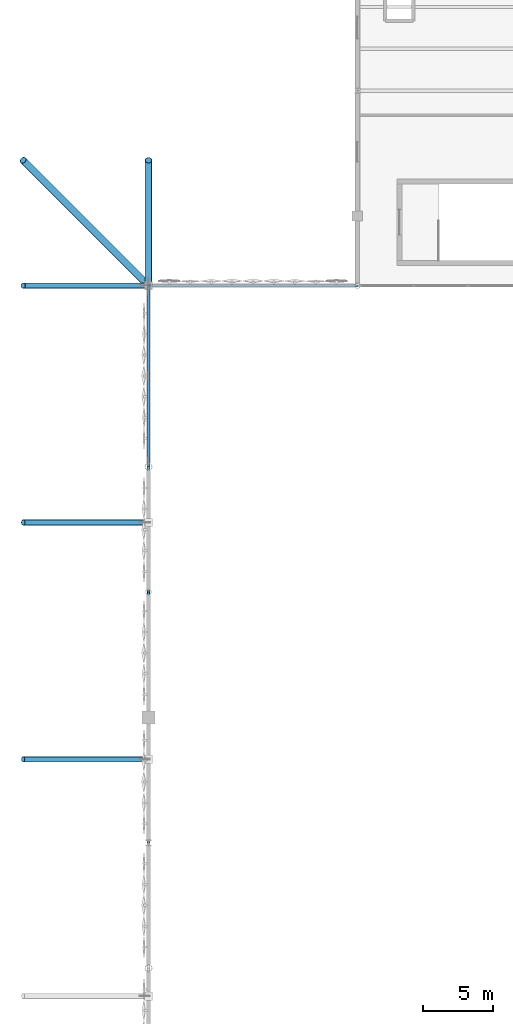
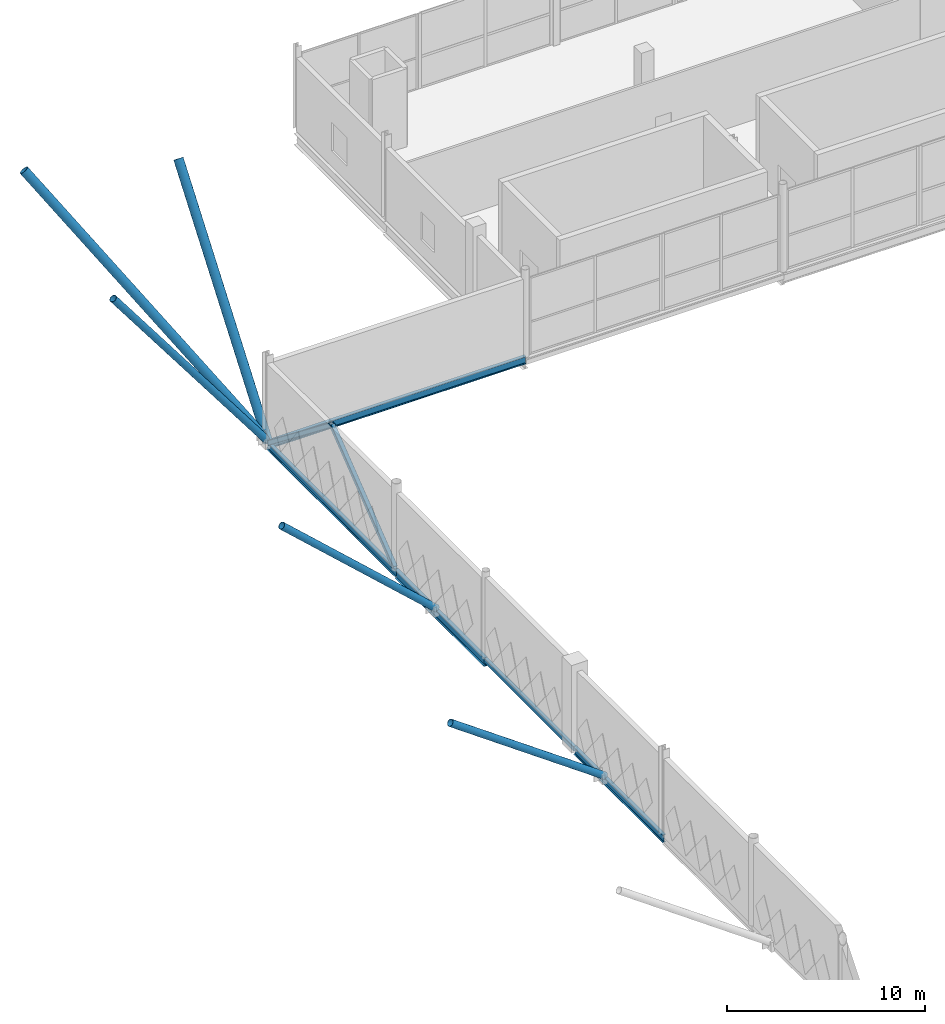
# One storey, part 31 of 119: 7 members, 5 beams.
"""IFC4 building model written with IfcOpenShell, lengths in metres."""

from ifc_helpers import new_model, si_unit, direction, frame, origin, origin_2d, place, context, subcontext, project, spatial, hollow_rectangle, hollow_circle, i_section, extrude, material, material_profile, profile_set, type_object, element, save


model = new_model("IFC4")

# Units and contexts
model_context = context("Model", 3, precision=1e-05, world=origin(), true_north=direction((0.0, 1.0)))
body_context = subcontext(model_context, "Body", "Model", "MODEL_VIEW")
ifc_project = project(units=[si_unit("LENGTHUNIT", "METRE"), si_unit("AREAUNIT", "SQUARE_METRE"), si_unit("VOLUMEUNIT", "CUBIC_METRE"), si_unit("PLANEANGLEUNIT", "RADIAN"), si_unit("MASSUNIT", "GRAM", prefix="KILO")], contexts=[model_context])

# Site, building, storey
site_placement = place(None, origin())
site = spatial("IfcSite", under=ifc_project, at=site_placement, CompositionType="ELEMENT")
building_placement = place(site_placement, origin())
building = spatial("IfcBuilding", under=site, at=building_placement, Name="Qamarlyn Nura Convention Centre", CompositionType="ELEMENT")
storey_placement = place(building_placement, frame((0.0, 0.0, 5.39990234375)))
storey = spatial("IfcBuildingStorey", under=building, at=storey_placement, Name="L01", CompositionType="ELEMENT", Elevation=5.39990234375)

# Beams
ifc_material_1 = material(Name="Steel ASTM A992", Category="steel")
ifc_material_profile_1 = material_profile(ifc_material_1, i_section(OverallWidth=0.193115234375, OverallDepth=0.466064453125, WebThickness=0.011474609375, FlangeThickness=0.01904296875, FilletRadius=0.012939453125, at=origin_2d()), Name="W460X97")
ifc_profile_set_1 = profile_set([ifc_material_profile_1], Name="Steel ASTM A992")
beam_type_1 = type_object("IfcBeamType", Name="BM-SPAN-460", PredefinedType="SPANDREL", material=ifc_profile_set_1)
beam_1_placement = place(storey_placement, frame((0.0, 103.0, -0.23291015625), z_axis=(1.0, 0.0, 0.0), x_axis=(0.0, 1.0, 0.0)))
element("IfcBeam", 1, at=beam_1_placement, inside=storey, type_object=beam_type_1, Name="L01 girder M 1-2", PredefinedType="SPANDREL", context=body_context, shape_type="SweptSolid", body=[
    extrude(i_section(OverallWidth=0.193115234375, OverallDepth=0.466064453125, WebThickness=0.011474609375, FlangeThickness=0.01904296875, FilletRadius=0.012939453125, at=origin_2d()), origin(), (0.0, 0.0, 1.0), 15.0),
])
beam_2_placement = place(storey_placement, frame((0.0, 63.0, -0.23291015625), z_axis=(0.0, 1.0, 0.0), x_axis=(-1.0, 0.0, 0.0)))
element("IfcBeam", 2, at=beam_2_placement, inside=storey, type_object=beam_type_1, Name="L01 girder 1 H-J", PredefinedType="SPANDREL", context=body_context, shape_type="SweptSolid", body=[
    extrude(i_section(OverallWidth=0.193115234375, OverallDepth=0.466064453125, WebThickness=0.011474609375, FlangeThickness=0.01904296875, FilletRadius=0.012939453125, at=origin_2d()), origin(), (0.0, 0.0, 1.0), 9.0),
])
beam_3_placement = place(storey_placement, frame((0.0, 90.0, -0.23291015625), z_axis=(0.0, 1.0, 0.0), x_axis=(-1.0, 0.0, 0.0)))
element("IfcBeam", 3, at=beam_3_placement, inside=storey, type_object=beam_type_1, Name="L01 girder 1 L-M", PredefinedType="SPANDREL", context=body_context, shape_type="SweptSolid", body=[
    extrude(i_section(OverallWidth=0.193115234375, OverallDepth=0.466064453125, WebThickness=0.011474609375, FlangeThickness=0.01904296875, FilletRadius=0.012939453125, at=origin_2d()), origin(), (0.0, 0.0, 1.0), 13.0),
])
ifc_material_profile_2 = material_profile(ifc_material_1, i_section(OverallWidth=0.2109375, OverallDepth=0.5390625, WebThickness=0.01171875, FlangeThickness=0.018798828125, FilletRadius=0.013916015625, at=origin_2d()), Name="W530X109")
ifc_profile_set_2 = profile_set([ifc_material_profile_2], Name="Steel ASTM A992")
beam_type_2 = type_object("IfcBeamType", Name="BM-SPAN-530", PredefinedType="SPANDREL", material=ifc_profile_set_2)
beam_4_placement = place(storey_placement, frame((0.0, 81.0, -0.269287109375), z_axis=(0.0, 1.0, 0.0), x_axis=(-1.0, 0.0, 0.0)))
element("IfcBeam", 4, at=beam_4_placement, inside=storey, type_object=beam_type_2, Name="L01 girder 1 K-L", PredefinedType="SPANDREL", context=body_context, shape_type="SweptSolid", body=[
    extrude(i_section(OverallWidth=0.2109375, OverallDepth=0.5390625, WebThickness=0.01171875, FlangeThickness=0.018798828125, FilletRadius=0.013916015625, at=origin_2d()), origin(), (0.0, 0.0, 1.0), 9.0),
])
ifc_material_2 = material(Name="Steel ASTM A500 Grade C", Category="steel")
ifc_material_profile_3 = material_profile(ifc_material_2, hollow_rectangle(XDim=0.199951171875, YDim=0.300048828125, WallThickness=0.012451171875, InnerFilletRadius=0.012451171875, OuterFilletRadius=0.02490234375, at=origin_2d()), Name="HSS300X200X12.5")
ifc_profile_set_3 = profile_set([ifc_material_profile_3], Name="Steel ASTM A500 Grade C")
beam_type_3 = type_object("IfcBeamType", Name="BM-SPAN-HSS", PredefinedType="SPANDREL", material=ifc_profile_set_3)
beam_5_placement = place(storey_placement, frame((0.0, 72.0, -0.14990234375), z_axis=(0.0, 1.0, 0.0), x_axis=(-1.0, 0.0, 0.0)))
element("IfcBeam", 5, at=beam_5_placement, inside=storey, type_object=beam_type_3, Name="L01 girder 1 J-K", PredefinedType="SPANDREL", context=body_context, shape_type="SweptSolid", body=[
    extrude(hollow_rectangle(XDim=0.199951171875, YDim=0.300048828125, WallThickness=0.012451171875, InnerFilletRadius=0.012451171875, OuterFilletRadius=0.02490234375, at=origin_2d()), origin(), (0.0, 0.0, 1.0), 9.0),
])

# Members
ifc_material_profile_4 = material_profile(ifc_material_2, hollow_rectangle(XDim=0.25, YDim=0.25, WallThickness=0.012451171875, InnerFilletRadius=0.012451171875, OuterFilletRadius=0.02490234375, at=origin_2d()), Name="HSS250X250X12.5")
ifc_profile_set_4 = profile_set([ifc_material_profile_4], Name="Steel ASTM A500 Grade C")
member_type_1 = type_object("IfcMemberType", Name="CBF-BRC-250", PredefinedType="BRACE", material=ifc_profile_set_4)
for number, where, z_axis, x_axis, name in (
    (6, (0.0, 90.179931640625, 0.0), (0.0, 0.788234369015, 0.615375153467), (-1.0, 0.0, 0.0), "L01 SCBF chevron brace CBF-W2L"),
    (7, (0.0, 102.820068359375, 0.0), (0.0, -0.788234369015, 0.615375153467), (1.0, 0.0, 0.0), "L01 SCBF chevron brace CBF-W2R"),
):
    element("IfcMember", number, at=place(storey_placement, frame(where, z_axis=z_axis, x_axis=x_axis)), inside=storey, type_object=member_type_1, Name=name, PredefinedType="BRACE", context=body_context, shape_type="SweptSolid", body=[
        extrude(hollow_rectangle(XDim=0.25, YDim=0.25, WallThickness=0.012451171875, InnerFilletRadius=0.012451171875, OuterFilletRadius=0.02490234375, at=origin_2d()), origin(), (0.0, 0.0, 1.0), 8.01806640625),
    ])
ifc_material_3 = material(Name="Pearl-white PVDF steel ASTM A500 Grade C", Category="steel")
ifc_material_profile_5 = material_profile(ifc_material_3, hollow_circle(Radius=0.203125, WallThickness=0.01611328125, at=origin_2d()), Name="CHS406.4X16")
ifc_profile_set_5 = profile_set([ifc_material_profile_5], Name="Pearl-white PVDF steel ASTM A500 Grade C")
member_type_2 = type_object("IfcMemberType", Name="STR-TREE-01", PredefinedType="BRACE", material=ifc_profile_set_5)
member_1_placement = place(storey_placement, frame((0.0, 69.0, 0.0), z_axis=(-0.814708921075, 0.0, 0.579870135394), x_axis=(0.0, -1.0, 0.0)))
element("IfcMember", 8, at=member_1_placement, inside=storey, type_object=member_type_2, Name="Raked tree strut RTS-W-5", PredefinedType="BRACE", context=body_context, shape_type="SweptSolid", body=[
    extrude(hollow_circle(Radius=0.203125, WallThickness=0.01611328125, at=origin_2d()), origin(), (0.0, 0.0, 1.0), 11.046875),
])
member_2_placement = place(storey_placement, frame((0.0, 86.0, 0.0), z_axis=(-0.737881551226, 0.0, 0.674930230735), x_axis=(0.0, -1.0, 0.0)))
element("IfcMember", 9, at=member_2_placement, inside=storey, type_object=member_type_2, Name="Raked tree strut RTS-W-6", PredefinedType="BRACE", context=body_context, shape_type="SweptSolid", body=[
    extrude(hollow_circle(Radius=0.203125, WallThickness=0.01611328125, at=origin_2d()), origin(), (0.0, 0.0, 1.0), 12.197021484375),
])
member_3_placement = place(storey_placement, frame((0.0, 103.0, 0.0), z_axis=(-0.60302653053, 0.0, 0.797721131397), x_axis=(0.0, -1.0, 0.0)))
element("IfcMember", 10, at=member_3_placement, inside=storey, type_object=member_type_2, Name="Raked tree strut RTS-W-7", PredefinedType="BRACE", context=body_context, shape_type="SweptSolid", body=[
    extrude(hollow_circle(Radius=0.203125, WallThickness=0.01611328125, at=origin_2d()), origin(), (0.0, 0.0, 1.0), 14.9248046875),
])
ifc_material_profile_6 = material_profile(ifc_material_3, hollow_circle(Radius=0.25390625, WallThickness=0.02001953125, at=origin_2d()), Name="CHS508X20")
ifc_profile_set_6 = profile_set([ifc_material_profile_6], Name="Pearl-white PVDF steel ASTM A500 Grade C")
member_type_3 = type_object("IfcMemberType", Name="STR-TREE-02", PredefinedType="BRACE", material=ifc_profile_set_6)
member_4_placement = place(storey_placement, frame((0.0, 103.0, 0.0), z_axis=(0.0, 0.60302653053, 0.797721131397), x_axis=(-1.0, 0.0, 0.0)))
element("IfcMember", 11, at=member_4_placement, inside=storey, type_object=member_type_3, Name="Raked tree strut RTS-N-2", PredefinedType="BRACE", context=body_context, shape_type="SweptSolid", body=[
    extrude(hollow_circle(Radius=0.25390625, WallThickness=0.02001953125, at=origin_2d()), origin(), (0.0, 0.0, 1.0), 14.9248046875),
])
member_5_placement = place(storey_placement, frame((0.0, 103.0, 0.0), z_axis=(-0.469191650761, 0.469191650761, 0.748143294905), x_axis=(-0.707106781187, -0.707106781187, 0.0)))
element("IfcMember", 12, at=member_5_placement, inside=storey, type_object=member_type_3, Name="Raked tree strut RTS-NW-CRN", PredefinedType="BRACE", context=body_context, shape_type="SweptSolid", body=[
    extrude(hollow_circle(Radius=0.25390625, WallThickness=0.02001953125, at=origin_2d()), origin(), (0.0, 0.0, 1.0), 19.181884765625),
])

save(model, "model.ifc")
